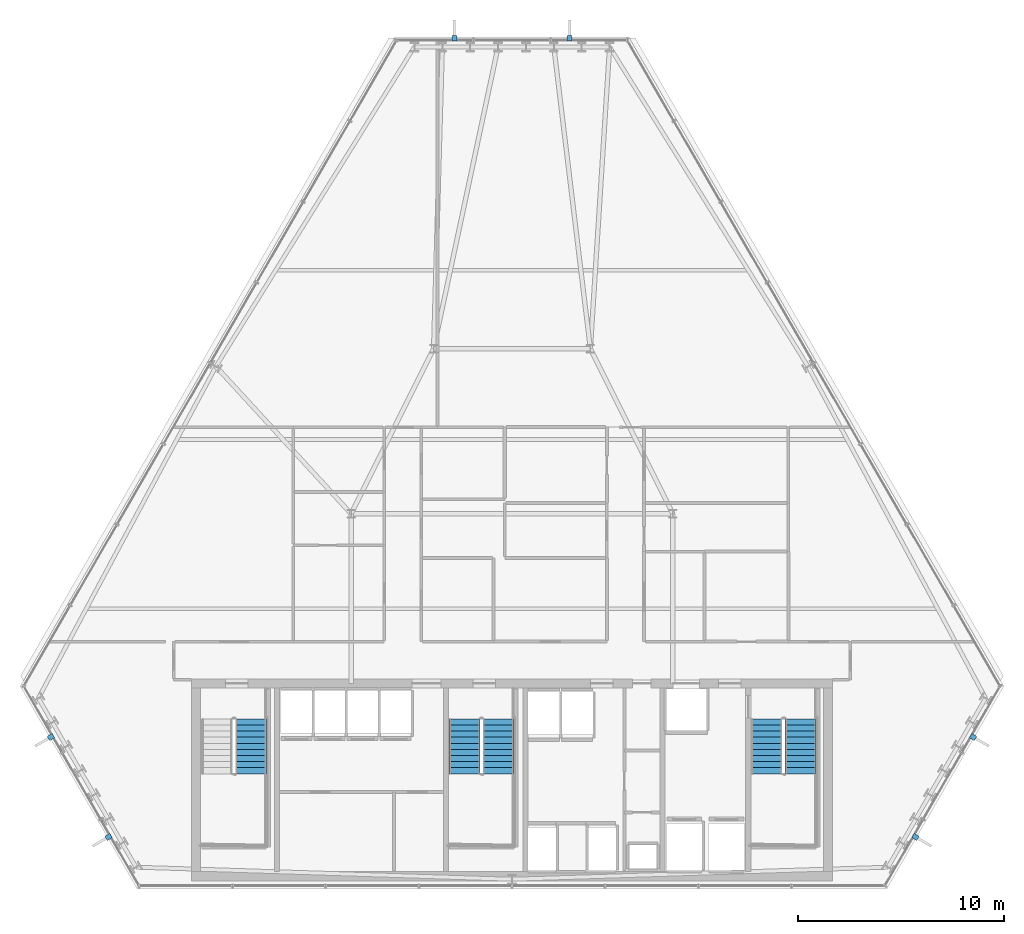
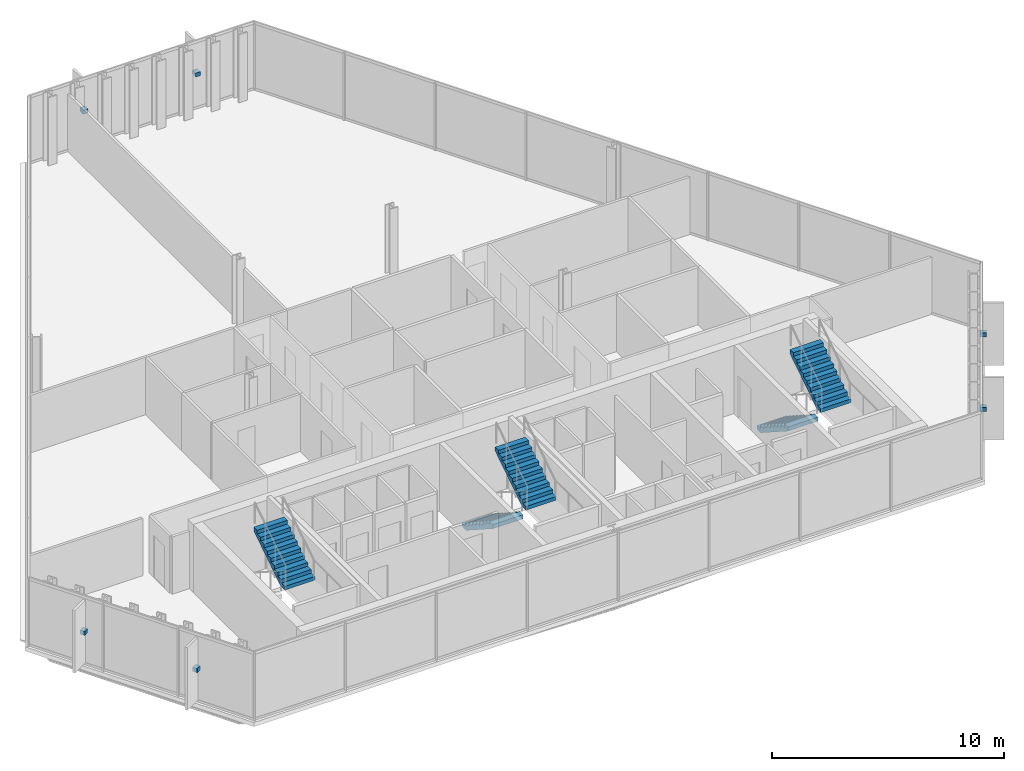
# One storey, part 29 of 33: 6 discrete accessories, 5 stair flights, 3 elements without a shape of their own.
"""IFC4 building model written with IfcOpenShell, lengths in metres."""

from ifc_helpers import new_model, si_unit, direction, frame, origin, origin_2d, place, context, subcontext, project, spatial, polyline, rectangle, outline, extrude, material, type_object, element, aggregate, save


model = new_model("IFC4")

# Units and contexts
model_context = context("Model", 3, precision=1e-05, world=origin(), true_north=direction((0.0, 1.0)))
body_context = subcontext(model_context, "Body", "Model", "MODEL_VIEW")
ifc_project = project(units=[si_unit("LENGTHUNIT", "METRE"), si_unit("AREAUNIT", "SQUARE_METRE"), si_unit("VOLUMEUNIT", "CUBIC_METRE"), si_unit("PLANEANGLEUNIT", "RADIAN"), si_unit("MASSUNIT", "GRAM", prefix="KILO")], contexts=[model_context])

# Site, building, storey
site_placement = place(None, origin())
site = spatial("IfcSite", under=ifc_project, at=site_placement, CompositionType="ELEMENT")
building_placement = place(site_placement, origin())
building = spatial("IfcBuilding", under=site, at=building_placement, Name="Ndaravel Arena Tower", CompositionType="ELEMENT")
storey_placement = place(building_placement, frame((0.0, 0.0, 149.800048828125)))
storey = spatial("IfcBuildingStorey", under=building, at=storey_placement, Name="L35", CompositionType="ELEMENT", Elevation=149.800048828125)

# Stair, stair flight
ifc_material_1 = material(Name="Concrete C40/50", Category="concrete")
stair_type = type_object("IfcStairType", Name="STAIR-CORE-HT", PredefinedType="HALF_TURN_STAIR", material=ifc_material_1)
stair_1_placement = place(storey_placement, origin())
stair_1 = element("IfcStair", 1, at=stair_1_placement, inside=storey, type_object=stair_type, Name="L35 ST-1", PredefinedType="HALF_TURN_STAIR")
ifc_material_2 = material(Name="Concrete C40/50", Category="concrete")
stair_flight_type = type_object("IfcStairFlightType", Name="SFLIGHT-CORE-1680", PredefinedType="STRAIGHT", material=ifc_material_2)
stair_flight_1_placement = place(storey_placement, frame((29.340087890625, 10.594970703125, 1.89990234375), z_axis=(0.0, 0.0, 1.0), x_axis=(0.0, 1.0, 0.0)))
stair_flight_1 = element("IfcStairFlight", 2, at=stair_flight_1_placement, type_object=stair_flight_type, Name="ST-1 flight 2", NumberOfRisers=10, NumberOfTreads=9, PredefinedType="STRAIGHT", RiserHeight=0.19, TreadLength=0.295, context=body_context, shape_type="SweptSolid", body=[
    extrude(outline(polyline([(0.0, 0.0), (0.0, 0.18994140625), (0.294921875, 0.18994140625), (0.294921875, 0.3798828125), (0.590087890625, 0.3798828125), (0.590087890625, 0.570068359375), (0.885009765625, 0.570068359375), (0.885009765625, 0.760009765625), (1.179931640625, 0.760009765625), (1.179931640625, 0.949951171875), (1.47509765625, 0.949951171875), (1.47509765625, 1.139892578125), (1.77001953125, 1.139892578125), (1.77001953125, 1.330078125), (2.06494140625, 1.330078125), (2.06494140625, 1.52001953125), (2.360107421875, 1.52001953125), (2.360107421875, 1.7099609375), (2.655029296875, 1.7099609375), (2.655029296875, 1.89990234375), (2.655029296875, 1.49609375), (0.332275390625, 0.0), (0.0, 0.0)])), frame((0.0, 0.75, 0.0), z_axis=(0.0, -1.0, 0.0), x_axis=(1.0, 0.0, 0.0)), (0.0, 0.0, 1.0), 1.5),
])
aggregate(stair_1, [stair_flight_1])

# Stair, stair flights
stair_2_placement = place(storey_placement, origin())
stair_2 = element("IfcStair", 3, at=stair_2_placement, inside=storey, type_object=stair_type, Name="L35 ST-2", PredefinedType="HALF_TURN_STAIR")
stair_flight_2_placement = place(storey_placement, frame((39.699951171875, 13.25, 0.0), z_axis=(0.0, 0.0, 1.0), x_axis=(0.0, -1.0, 0.0)))
stair_flight_2 = element("IfcStairFlight", 4, at=stair_flight_2_placement, type_object=stair_flight_type, Name="ST-2 flight 1", NumberOfRisers=10, NumberOfTreads=9, PredefinedType="STRAIGHT", RiserHeight=0.19, TreadLength=0.295, context=body_context, shape_type="SweptSolid", body=[
    extrude(outline(polyline([(0.0, 0.0), (0.0, 0.18994140625), (0.294921875, 0.18994140625), (0.294921875, 0.3798828125), (0.590087890625, 0.3798828125), (0.590087890625, 0.570068359375), (0.885009765625, 0.570068359375), (0.885009765625, 0.760009765625), (1.179931640625, 0.760009765625), (1.179931640625, 0.949951171875), (1.47509765625, 0.949951171875), (1.47509765625, 1.139892578125), (1.77001953125, 1.139892578125), (1.77001953125, 1.330078125), (2.06494140625, 1.330078125), (2.06494140625, 1.52001953125), (2.360107421875, 1.52001953125), (2.360107421875, 1.7099609375), (2.655029296875, 1.7099609375), (2.655029296875, 1.89990234375), (2.655029296875, 1.49609375), (0.332275390625, 0.0), (0.0, 0.0)])), frame((0.0, 0.75, 0.0), z_axis=(0.0, -1.0, 0.0), x_axis=(1.0, 0.0, 0.0)), (0.0, 0.0, 1.0), 1.5),
])
stair_flight_3_placement = place(storey_placement, frame((41.340087890625, 10.594970703125, 1.89990234375), z_axis=(0.0, 0.0, 1.0), x_axis=(0.0, 1.0, 0.0)))
stair_flight_3 = element("IfcStairFlight", 5, at=stair_flight_3_placement, type_object=stair_flight_type, Name="ST-2 flight 2", NumberOfRisers=10, NumberOfTreads=9, PredefinedType="STRAIGHT", RiserHeight=0.19, TreadLength=0.295, context=body_context, shape_type="SweptSolid", body=[
    extrude(outline(polyline([(0.0, 0.0), (0.0, 0.18994140625), (0.294921875, 0.18994140625), (0.294921875, 0.3798828125), (0.590087890625, 0.3798828125), (0.590087890625, 0.570068359375), (0.885009765625, 0.570068359375), (0.885009765625, 0.760009765625), (1.179931640625, 0.760009765625), (1.179931640625, 0.949951171875), (1.47509765625, 0.949951171875), (1.47509765625, 1.139892578125), (1.77001953125, 1.139892578125), (1.77001953125, 1.330078125), (2.06494140625, 1.330078125), (2.06494140625, 1.52001953125), (2.360107421875, 1.52001953125), (2.360107421875, 1.7099609375), (2.655029296875, 1.7099609375), (2.655029296875, 1.89990234375), (2.655029296875, 1.49609375), (0.332275390625, 0.0), (0.0, 0.0)])), frame((0.0, 0.75, 0.0), z_axis=(0.0, -1.0, 0.0), x_axis=(1.0, 0.0, 0.0)), (0.0, 0.0, 1.0), 1.5),
])
aggregate(stair_2, [stair_flight_2, stair_flight_3])

stair_3_placement = place(storey_placement, origin())
stair_3 = element("IfcStair", 6, at=stair_3_placement, inside=storey, type_object=stair_type, Name="L35 ST-3", PredefinedType="HALF_TURN_STAIR")
stair_flight_4_placement = place(storey_placement, frame((54.35009765625, 13.25, 0.0), z_axis=(0.0, 0.0, 1.0), x_axis=(0.0, -1.0, 0.0)))
stair_flight_4 = element("IfcStairFlight", 7, at=stair_flight_4_placement, type_object=stair_flight_type, Name="ST-3 flight 1", NumberOfRisers=10, NumberOfTreads=9, PredefinedType="STRAIGHT", RiserHeight=0.19, TreadLength=0.295, context=body_context, shape_type="SweptSolid", body=[
    extrude(outline(polyline([(0.0, 0.0), (0.0, 0.18994140625), (0.294921875, 0.18994140625), (0.294921875, 0.3798828125), (0.590087890625, 0.3798828125), (0.590087890625, 0.570068359375), (0.885009765625, 0.570068359375), (0.885009765625, 0.760009765625), (1.179931640625, 0.760009765625), (1.179931640625, 0.949951171875), (1.47509765625, 0.949951171875), (1.47509765625, 1.139892578125), (1.77001953125, 1.139892578125), (1.77001953125, 1.330078125), (2.06494140625, 1.330078125), (2.06494140625, 1.52001953125), (2.360107421875, 1.52001953125), (2.360107421875, 1.7099609375), (2.655029296875, 1.7099609375), (2.655029296875, 1.89990234375), (2.655029296875, 1.49609375), (0.332275390625, 0.0), (0.0, 0.0)])), frame((0.0, 0.75, 0.0), z_axis=(0.0, -1.0, 0.0), x_axis=(1.0, 0.0, 0.0)), (0.0, 0.0, 1.0), 1.5),
])
stair_flight_5_placement = place(storey_placement, frame((55.989990234375, 10.594970703125, 1.89990234375), z_axis=(0.0, 0.0, 1.0), x_axis=(0.0, 1.0, 0.0)))
stair_flight_5 = element("IfcStairFlight", 8, at=stair_flight_5_placement, type_object=stair_flight_type, Name="ST-3 flight 2", NumberOfRisers=10, NumberOfTreads=9, PredefinedType="STRAIGHT", RiserHeight=0.19, TreadLength=0.295, context=body_context, shape_type="SweptSolid", body=[
    extrude(outline(polyline([(0.0, 0.0), (0.0, 0.18994140625), (0.294921875, 0.18994140625), (0.294921875, 0.3798828125), (0.590087890625, 0.3798828125), (0.590087890625, 0.570068359375), (0.885009765625, 0.570068359375), (0.885009765625, 0.760009765625), (1.179931640625, 0.760009765625), (1.179931640625, 0.949951171875), (1.47509765625, 0.949951171875), (1.47509765625, 1.139892578125), (1.77001953125, 1.139892578125), (1.77001953125, 1.330078125), (2.06494140625, 1.330078125), (2.06494140625, 1.52001953125), (2.360107421875, 1.52001953125), (2.360107421875, 1.7099609375), (2.655029296875, 1.7099609375), (2.655029296875, 1.89990234375), (2.655029296875, 1.49609375), (0.332275390625, 0.0), (0.0, 0.0)])), frame((0.0, 0.75, 0.0), z_axis=(0.0, -1.0, 0.0), x_axis=(1.0, 0.0, 0.0)), (0.0, 0.0, 1.0), 1.5),
])
aggregate(stair_3, [stair_flight_4, stair_flight_5])

# Discrete accessories
ifc_material_3 = material(Name="Steel S355", Category="steel")
discrete_accessory_type = type_object("IfcDiscreteAccessoryType", Name="ACC-BRACKET-FIN", PredefinedType="BRACKET", material=ifc_material_3)
for number, where, z_axis, x_axis, name in (
    (9, (61.560302734375, 7.53125, 1.68994140625), (0.0, 0.0, 1.0), (0.866025403784, -0.5, 0.0), "L35 Mazeras Stone Solar Fin E2.1 Bracket"),
    (10, (64.356201171875, 12.3740234375, 1.68994140625), (0.0, 0.0, 1.0), (0.866025403784, -0.5, 0.0), "L35 Mazeras Stone Solar Fin E2.2 Bracket"),
    (11, (44.7958984375, 46.253662109375, 1.68994140625), (0.0, 0.0, 1.0), (0.0, 1.0, 0.0), "L35 Mazeras Stone Solar Fin E4.1 Bracket"),
    (12, (39.2041015625, 46.253662109375, 1.68994140625), (0.0, 0.0, 1.0), (0.0, 1.0, 0.0), "L35 Mazeras Stone Solar Fin E4.2 Bracket"),
    (13, (19.643798828125, 12.3740234375, 1.68994140625), (0.0, 0.0, 1.0), (-0.866025403784, -0.5, 0.0), "L35 Mazeras Stone Solar Fin E6.1 Bracket"),
    (14, (22.439697265625, 7.53125, 1.68994140625), (0.0, 0.0, 1.0), (-0.866025403784, -0.5, 0.0), "L35 Mazeras Stone Solar Fin E6.2 Bracket"),
):
    element("IfcDiscreteAccessory", number, at=place(storey_placement, frame(where, z_axis=z_axis, x_axis=x_axis)), inside=storey, type_object=discrete_accessory_type, Name=name, PredefinedType="BRACKET", context=body_context, shape_type="SweptSolid", body=[
        extrude(rectangle(XDim=0.280029296875, YDim=0.239990234375, at=origin_2d()), origin(), (0.0, 0.0, 1.0), 0.199951171875),
    ])

save(model, "model.ifc")
